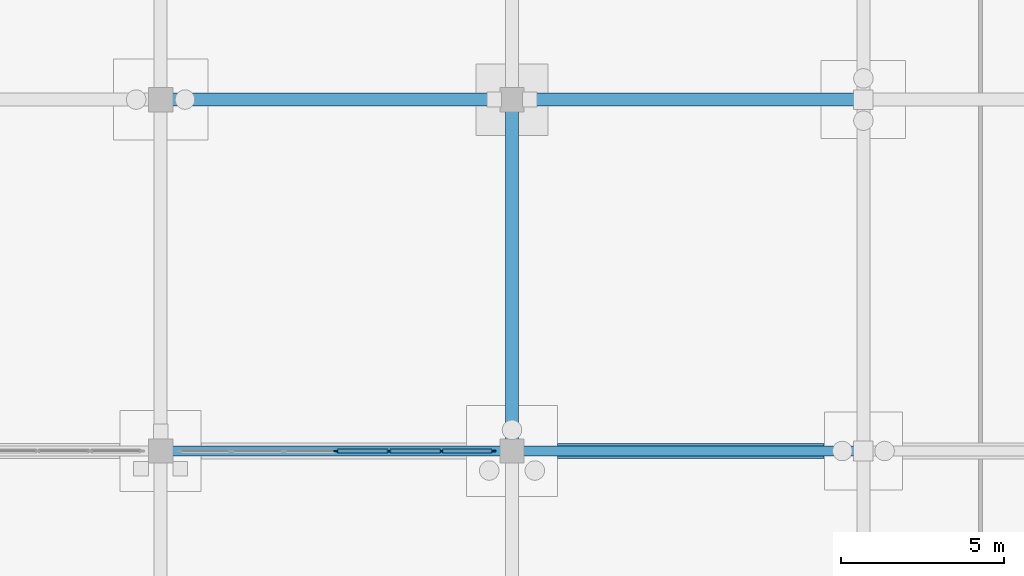
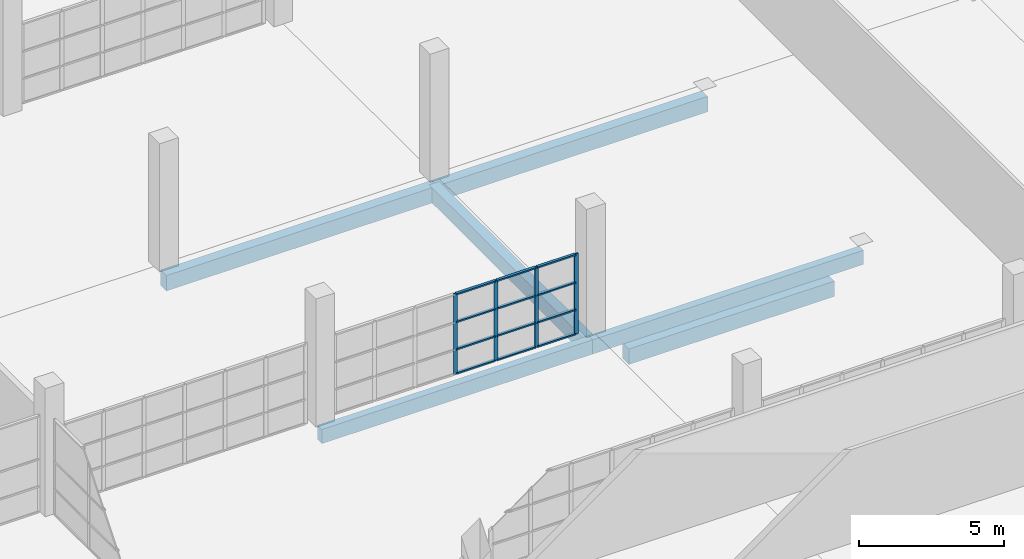
# One storey, part 50 of 138: 16 members, 6 beams, 1 element without a shape of its own.
"""IFC4 building model written with IfcOpenShell, lengths in metres."""

from ifc_helpers import new_model, si_unit, direction, frame, origin, origin_2d, place, context, subcontext, project, spatial, rectangle, extrude, material, material_profile, profile_set, type_object, element, aggregate, save


model = new_model("IFC4")

# Units and contexts
model_context = context("Model", 3, precision=1e-05, world=origin(), true_north=direction((0.0, 1.0)))
body_context = subcontext(model_context, "Body", "Model", "MODEL_VIEW")
ifc_project = project(units=[si_unit("LENGTHUNIT", "METRE"), si_unit("AREAUNIT", "SQUARE_METRE"), si_unit("VOLUMEUNIT", "CUBIC_METRE"), si_unit("PLANEANGLEUNIT", "RADIAN"), si_unit("MASSUNIT", "GRAM", prefix="KILO")], contexts=[model_context])

# Site, building, storey
site_placement = place(None, origin())
site = spatial("IfcSite", under=ifc_project, at=site_placement, CompositionType="ELEMENT")
building_placement = place(site_placement, origin())
building = spatial("IfcBuilding", under=site, at=building_placement, Name="Zwinboog Wholesale Market", CompositionType="ELEMENT")
storey_placement = place(building_placement, origin())
storey = spatial("IfcBuildingStorey", under=building, at=storey_placement, Name="L00", CompositionType="ELEMENT", Elevation=0.0)

# Beams
ifc_material_1 = material(Name="Precast concrete C45/55", Category="concrete")
ifc_material_profile_1 = material_profile(ifc_material_1, rectangle(XDim=0.39990234375, YDim=0.64990234375, at=origin_2d()), Name="PC 400x650")
ifc_profile_set_1 = profile_set([ifc_material_profile_1], Name="Precast concrete C45/55")
beam_type_1 = type_object("IfcBeamType", Name="BT-05", PredefinedType="BEAM", material=ifc_profile_set_1)
beam_1_placement = place(storey_placement, frame((75.60009765625, 75.60009765625, -0.719970703125), z_axis=(1.0, 0.0, 0.0), x_axis=(0.0, 1.0, 0.0)))
element("IfcBeam", 1, at=beam_1_placement, inside=storey, type_object=beam_type_1, Name="BG-05 (BMG-L00-0756-0756-0106)", PredefinedType="BEAM", context=body_context, shape_type="SweptSolid", body=[
    extrude(rectangle(XDim=0.39990234375, YDim=0.64990234375, at=origin_2d()), origin(), (0.0, 0.0, 1.0), 10.7998046875),
])
for number, where, z_axis, x_axis, name in (
    (2, (86.39990234375, 75.60009765625, -0.719970703125), (1.0, 0.0, 0.0), (0.0, 1.0, 0.0), "BG-05 (BMG-L00-0864-0756-0107)"),
    (3, (86.39990234375, 64.800048828125, -0.719970703125), (0.0, 1.0, 0.0), (-1.0, 0.0, 0.0), "BG-05 (BMG-L00-0864-0648-0295)"),
):
    element("IfcBeam", number, at=place(storey_placement, frame(where, z_axis=z_axis, x_axis=x_axis)), inside=storey, type_object=beam_type_1, Name=name, PredefinedType="BEAM", context=body_context, shape_type="SweptSolid", body=[
        extrude(rectangle(XDim=0.39990234375, YDim=0.64990234375, at=origin_2d()), origin(), (0.0, 0.0, 1.0), 10.800048828125),
    ])
ifc_material_profile_2 = material_profile(ifc_material_1, rectangle(XDim=0.300048828125, YDim=0.60009765625, at=origin_2d()), Name="PC 300x600")
ifc_profile_set_2 = profile_set([ifc_material_profile_2], Name="Precast concrete C45/55")
beam_type_2 = type_object("IfcBeamType", Name="BT-09", PredefinedType="SPANDREL", material=ifc_profile_set_2)
beam_2_placement = place(storey_placement, frame((75.60009765625, 64.800048828125, -0.6650390625), z_axis=(1.0, 0.0, 0.0), x_axis=(0.0, 1.0, 0.0)))
element("IfcBeam", 4, at=beam_2_placement, inside=storey, type_object=beam_type_2, Name="SP-02 (BMG-L00-0756-0648-0090)", PredefinedType="SPANDREL", context=body_context, shape_type="SweptSolid", body=[
    extrude(rectangle(XDim=0.300048828125, YDim=0.60009765625, at=origin_2d()), origin(), (0.0, 0.0, 1.0), 10.7998046875),
])
beam_3_placement = place(storey_placement, frame((86.39990234375, 64.800048828125, -0.6650390625), z_axis=(1.0, 0.0, 0.0), x_axis=(0.0, 1.0, 0.0)))
element("IfcBeam", 5, at=beam_3_placement, inside=storey, type_object=beam_type_2, Name="SP-02 (BMG-L00-0864-0648-0091)", PredefinedType="SPANDREL", context=body_context, shape_type="SweptSolid", body=[
    extrude(rectangle(XDim=0.300048828125, YDim=0.60009765625, at=origin_2d()), origin(), (0.0, 0.0, 1.0), 10.800048828125),
])
ifc_material_2 = material(Name="Concrete C35/45", Category="concrete")
ifc_material_profile_3 = material_profile(ifc_material_2, rectangle(XDim=0.449951171875, YDim=0.64990234375, at=origin_2d()), Name="RC 450x650")
ifc_profile_set_3 = profile_set([ifc_material_profile_3], Name="Concrete C35/45")
beam_type_3 = type_object("IfcBeamType", Name="BT-13", PredefinedType="USERDEFINED", material=ifc_profile_set_3)
beam_4_placement = place(storey_placement, frame((87.804931640625, 64.800048828125, -1.52490234375), z_axis=(1.0, 0.0, 0.0), x_axis=(0.0, 1.0, 0.0)))
element("IfcBeam", 6, at=beam_4_placement, inside=storey, type_object=beam_type_3, Name="GB-02 (BM-GB-0058)", ObjectType="GROUND_BEAM", PredefinedType="USERDEFINED", context=body_context, shape_type="SweptSolid", body=[
    extrude(rectangle(XDim=0.449951171875, YDim=0.64990234375, at=origin_2d()), origin(), (0.0, 0.0, 1.0), 8.190185546875),
])

# Curtain wall, members
ifc_material_3 = material(Name="Aluminium thermally broken curtain wall", Category="aluminium")
curtain_wall_type = type_object("IfcCurtainWallType", Name="CWT-INT-STALL", PredefinedType="USERDEFINED", material=ifc_material_3)
curtain_wall_placement = place(storey_placement, origin())
curtain_wall = element("IfcCurtainWall", 7, at=curtain_wall_placement, inside=storey, type_object=curtain_wall_type, Name="CW-07 (CW-STL-192)", ObjectType="STOREFRONT_GLAZING", PredefinedType="USERDEFINED")
ifc_material_4 = material(Name="Aluminium EN AW-6060", Category="aluminium")
ifc_material_profile_4 = material_profile(ifc_material_4, rectangle(XDim=0.06005859375, YDim=0.14990234375, at=origin_2d()), Name="AL 60x150")
ifc_profile_set_4 = profile_set([ifc_material_profile_4], Name="Aluminium EN AW-6060")
member_type_1 = type_object("IfcMemberType", Name="CWM-INT-60x120", PredefinedType="MULLION", material=ifc_profile_set_4)
member_1_placement = place(storey_placement, frame((81.0, 64.800048828125, 0.0), z_axis=(0.0, 0.0, 1.0), x_axis=(0.0, 1.0, 0.0)))
member_1 = element("IfcMember", 8, at=member_1_placement, type_object=member_type_1, Name="CW-07 mullion 4", PredefinedType="MULLION", context=body_context, shape_type="SweptSolid", body=[
    extrude(rectangle(XDim=0.06005859375, YDim=0.14990234375, at=origin_2d()), origin(), (0.0, 0.0, 1.0), 3.39990234375),
])
member_2_placement = place(storey_placement, frame((82.61669921875, 64.800048828125, 0.0), z_axis=(0.0, 0.0, 1.0), x_axis=(0.0, 1.0, 0.0)))
member_2 = element("IfcMember", 9, at=member_2_placement, type_object=member_type_1, Name="CW-07 mullion 5", PredefinedType="MULLION", context=body_context, shape_type="SweptSolid", body=[
    extrude(rectangle(XDim=0.06005859375, YDim=0.14990234375, at=origin_2d()), origin(), (0.0, 0.0, 1.0), 3.39990234375),
])
member_3_placement = place(storey_placement, frame((84.2333984375, 64.800048828125, 0.0), z_axis=(0.0, 0.0, 1.0), x_axis=(0.0, 1.0, 0.0)))
member_3 = element("IfcMember", 10, at=member_3_placement, type_object=member_type_1, Name="CW-07 mullion 6", PredefinedType="MULLION", context=body_context, shape_type="SweptSolid", body=[
    extrude(rectangle(XDim=0.06005859375, YDim=0.14990234375, at=origin_2d()), origin(), (0.0, 0.0, 1.0), 3.39990234375),
])
member_4_placement = place(storey_placement, frame((85.820068359375, 64.800048828125, 0.0), z_axis=(0.0, 0.0, 1.0), x_axis=(0.0, 1.0, 0.0)))
member_4 = element("IfcMember", 11, at=member_4_placement, type_object=member_type_1, Name="CW-07 mullion 7", PredefinedType="MULLION", context=body_context, shape_type="SweptSolid", body=[
    extrude(rectangle(XDim=0.06005859375, YDim=0.14990234375, at=origin_2d()), origin(), (0.0, 0.0, 1.0), 3.39990234375),
])
ifc_material_profile_5 = material_profile(ifc_material_4, rectangle(XDim=0.110107421875, YDim=0.06005859375, at=origin_2d()), Name="AL 60x110")
ifc_profile_set_5 = profile_set([ifc_material_profile_5], Name="Aluminium EN AW-6060")
member_type_2 = type_object("IfcMemberType", Name="CWT-INT-60x100", PredefinedType="USERDEFINED", material=ifc_profile_set_5)
member_5_placement = place(storey_placement, frame((81.030029296875, 64.800048828125, 0.030029296875), z_axis=(1.0, 0.0, 0.0), x_axis=(0.0, 1.0, 0.0)))
member_5 = element("IfcMember", 12, at=member_5_placement, type_object=member_type_2, Name="CW-07 transom 4.1", ObjectType="TRANSOM", PredefinedType="USERDEFINED", context=body_context, shape_type="SweptSolid", body=[
    extrude(rectangle(XDim=0.110107421875, YDim=0.06005859375, at=origin_2d()), origin(), (0.0, 0.0, 1.0), 1.556640625),
])
member_6_placement = place(storey_placement, frame((81.030029296875, 64.800048828125, 1.050048828125), z_axis=(1.0, 0.0, 0.0), x_axis=(0.0, 1.0, 0.0)))
member_6 = element("IfcMember", 13, at=member_6_placement, type_object=member_type_2, Name="CW-07 transom 4.2", ObjectType="TRANSOM", PredefinedType="USERDEFINED", context=body_context, shape_type="SweptSolid", body=[
    extrude(rectangle(XDim=0.110107421875, YDim=0.06005859375, at=origin_2d()), origin(), (0.0, 0.0, 1.0), 1.556640625),
])
member_7_placement = place(storey_placement, frame((81.030029296875, 64.800048828125, 2.199951171875), z_axis=(1.0, 0.0, 0.0), x_axis=(0.0, 1.0, 0.0)))
member_7 = element("IfcMember", 14, at=member_7_placement, type_object=member_type_2, Name="CW-07 transom 4.3", ObjectType="TRANSOM", PredefinedType="USERDEFINED", context=body_context, shape_type="SweptSolid", body=[
    extrude(rectangle(XDim=0.110107421875, YDim=0.06005859375, at=origin_2d()), origin(), (0.0, 0.0, 1.0), 1.556640625),
])
member_8_placement = place(storey_placement, frame((81.030029296875, 64.800048828125, 3.3701171875), z_axis=(1.0, 0.0, 0.0), x_axis=(0.0, 1.0, 0.0)))
member_8 = element("IfcMember", 15, at=member_8_placement, type_object=member_type_2, Name="CW-07 transom 4.4", ObjectType="TRANSOM", PredefinedType="USERDEFINED", context=body_context, shape_type="SweptSolid", body=[
    extrude(rectangle(XDim=0.110107421875, YDim=0.06005859375, at=origin_2d()), origin(), (0.0, 0.0, 1.0), 1.556640625),
])
member_9_placement = place(storey_placement, frame((82.646728515625, 64.800048828125, 0.030029296875), z_axis=(1.0, 0.0, 0.0), x_axis=(0.0, 1.0, 0.0)))
member_9 = element("IfcMember", 16, at=member_9_placement, type_object=member_type_2, Name="CW-07 transom 5.1", ObjectType="TRANSOM", PredefinedType="USERDEFINED", context=body_context, shape_type="SweptSolid", body=[
    extrude(rectangle(XDim=0.110107421875, YDim=0.06005859375, at=origin_2d()), origin(), (0.0, 0.0, 1.0), 1.556640625),
])
member_10_placement = place(storey_placement, frame((82.646728515625, 64.800048828125, 1.050048828125), z_axis=(1.0, 0.0, 0.0), x_axis=(0.0, 1.0, 0.0)))
member_10 = element("IfcMember", 17, at=member_10_placement, type_object=member_type_2, Name="CW-07 transom 5.2", ObjectType="TRANSOM", PredefinedType="USERDEFINED", context=body_context, shape_type="SweptSolid", body=[
    extrude(rectangle(XDim=0.110107421875, YDim=0.06005859375, at=origin_2d()), origin(), (0.0, 0.0, 1.0), 1.556640625),
])
member_11_placement = place(storey_placement, frame((82.646728515625, 64.800048828125, 2.199951171875), z_axis=(1.0, 0.0, 0.0), x_axis=(0.0, 1.0, 0.0)))
member_11 = element("IfcMember", 18, at=member_11_placement, type_object=member_type_2, Name="CW-07 transom 5.3", ObjectType="TRANSOM", PredefinedType="USERDEFINED", context=body_context, shape_type="SweptSolid", body=[
    extrude(rectangle(XDim=0.110107421875, YDim=0.06005859375, at=origin_2d()), origin(), (0.0, 0.0, 1.0), 1.556640625),
])
member_12_placement = place(storey_placement, frame((82.646728515625, 64.800048828125, 3.3701171875), z_axis=(1.0, 0.0, 0.0), x_axis=(0.0, 1.0, 0.0)))
member_12 = element("IfcMember", 19, at=member_12_placement, type_object=member_type_2, Name="CW-07 transom 5.4", ObjectType="TRANSOM", PredefinedType="USERDEFINED", context=body_context, shape_type="SweptSolid", body=[
    extrude(rectangle(XDim=0.110107421875, YDim=0.06005859375, at=origin_2d()), origin(), (0.0, 0.0, 1.0), 1.556640625),
])
member_13_placement = place(storey_placement, frame((84.263427734375, 64.800048828125, 0.030029296875), z_axis=(1.0, 0.0, 0.0), x_axis=(0.0, 1.0, 0.0)))
member_13 = element("IfcMember", 20, at=member_13_placement, type_object=member_type_2, Name="CW-07 transom 6.1", ObjectType="TRANSOM", PredefinedType="USERDEFINED", context=body_context, shape_type="SweptSolid", body=[
    extrude(rectangle(XDim=0.110107421875, YDim=0.06005859375, at=origin_2d()), origin(), (0.0, 0.0, 1.0), 1.526611328125),
])
member_14_placement = place(storey_placement, frame((84.263427734375, 64.800048828125, 1.050048828125), z_axis=(1.0, 0.0, 0.0), x_axis=(0.0, 1.0, 0.0)))
member_14 = element("IfcMember", 21, at=member_14_placement, type_object=member_type_2, Name="CW-07 transom 6.2", ObjectType="TRANSOM", PredefinedType="USERDEFINED", context=body_context, shape_type="SweptSolid", body=[
    extrude(rectangle(XDim=0.110107421875, YDim=0.06005859375, at=origin_2d()), origin(), (0.0, 0.0, 1.0), 1.526611328125),
])
member_15_placement = place(storey_placement, frame((84.263427734375, 64.800048828125, 2.199951171875), z_axis=(1.0, 0.0, 0.0), x_axis=(0.0, 1.0, 0.0)))
member_15 = element("IfcMember", 22, at=member_15_placement, type_object=member_type_2, Name="CW-07 transom 6.3", ObjectType="TRANSOM", PredefinedType="USERDEFINED", context=body_context, shape_type="SweptSolid", body=[
    extrude(rectangle(XDim=0.110107421875, YDim=0.06005859375, at=origin_2d()), origin(), (0.0, 0.0, 1.0), 1.526611328125),
])
member_16_placement = place(storey_placement, frame((84.263427734375, 64.800048828125, 3.3701171875), z_axis=(1.0, 0.0, 0.0), x_axis=(0.0, 1.0, 0.0)))
member_16 = element("IfcMember", 23, at=member_16_placement, type_object=member_type_2, Name="CW-07 transom 6.4", ObjectType="TRANSOM", PredefinedType="USERDEFINED", context=body_context, shape_type="SweptSolid", body=[
    extrude(rectangle(XDim=0.110107421875, YDim=0.06005859375, at=origin_2d()), origin(), (0.0, 0.0, 1.0), 1.526611328125),
])
aggregate(curtain_wall, [member_1, member_2, member_3, member_4, member_5, member_6, member_7, member_8, member_9, member_10, member_11, member_12, member_13, member_14, member_15, member_16])

save(model, "model.ifc")
